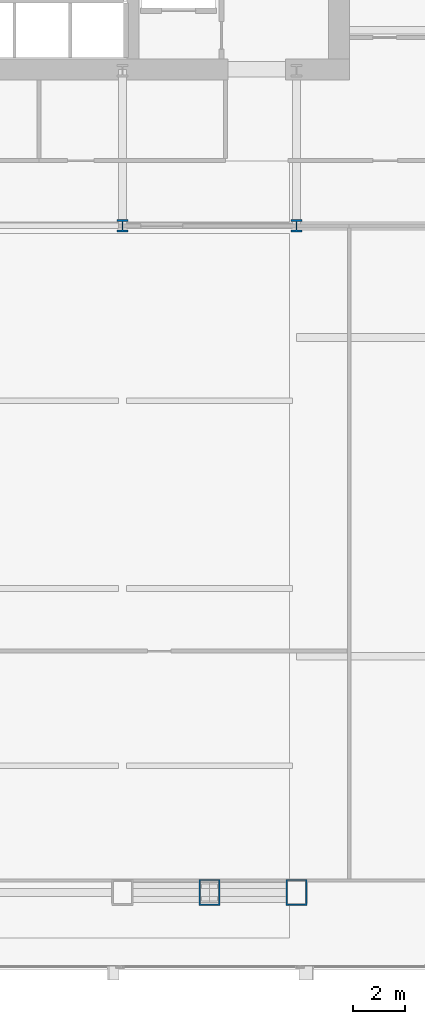
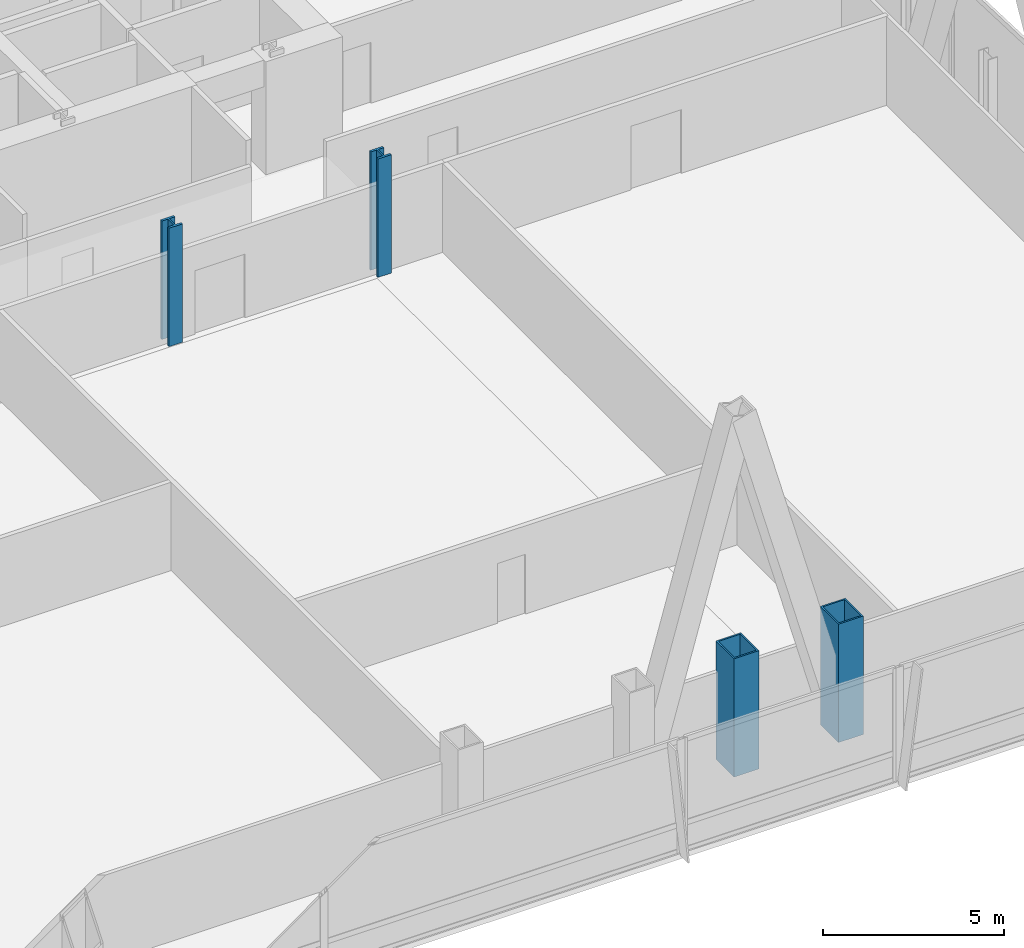
# One storey, part 2 of 35: 4 columns.
"""IFC4 building model written with IfcOpenShell, lengths in metres."""

from ifc_helpers import new_model, si_unit, direction, frame, origin, origin_2d, place, context, subcontext, project, spatial, hollow_rectangle, i_section, extrude, material, material_profile, profile_set, type_object, element, save


model = new_model("IFC4")

# Units and contexts
model_context = context("Model", 3, precision=1e-05, world=origin(), true_north=direction((0.0, 1.0)))
body_context = subcontext(model_context, "Body", "Model", "MODEL_VIEW")
ifc_project = project(units=[si_unit("LENGTHUNIT", "METRE"), si_unit("AREAUNIT", "SQUARE_METRE"), si_unit("VOLUMEUNIT", "CUBIC_METRE"), si_unit("PLANEANGLEUNIT", "RADIAN"), si_unit("MASSUNIT", "GRAM", prefix="KILO")], contexts=[model_context])

# Site, building, storey
site_placement = place(None, origin())
site = spatial("IfcSite", under=ifc_project, at=site_placement, CompositionType="ELEMENT")
building_placement = place(site_placement, origin())
building = spatial("IfcBuilding", under=site, at=building_placement, Name="Khoronbel Lancet Exchange", CompositionType="ELEMENT")
storey_placement = place(building_placement, frame((0.0, 0.0, 25.800048828125)))
storey = spatial("IfcBuildingStorey", under=building, at=storey_placement, Name="L05", CompositionType="ELEMENT", Elevation=25.800048828125)

# Columns
ifc_material = material(Name="Steel S460", Category="steel")
ifc_material_profile_1 = material_profile(ifc_material, hollow_rectangle(XDim=0.800048828125, YDim=1.0, WallThickness=0.054931640625, at=origin_2d()), Name="BOX 1000x800x55")
ifc_profile_set_1 = profile_set([ifc_material_profile_1], Name="Steel S460")
column_type_1 = type_object("IfcColumnType", Name="COL-EC1", PredefinedType="COLUMN", material=ifc_profile_set_1)
for number, where, z_axis, x_axis, name in (
    (1, (51.33740234375, 10.14990234375, 0.0), (0.0, 0.0, 1.0), (1.0, 0.0, 0.0), "Structural column SC-EM L05"),
    (2, (54.675048828125, 10.14990234375, 0.0), (0.0, 0.0, 1.0), (1.0, 0.0, 0.0), "Structural column SC-E2 L05"),
):
    element("IfcColumn", number, at=place(storey_placement, frame(where, z_axis=z_axis, x_axis=x_axis)), inside=storey, type_object=column_type_1, Name=name, PredefinedType="COLUMN", context=body_context, shape_type="SweptSolid", body=[
        extrude(hollow_rectangle(XDim=0.800048828125, YDim=1.0, WallThickness=0.054931640625, at=origin_2d()), origin(), (0.0, 0.0, 1.0), 4.0),
    ])
ifc_material_profile_2 = material_profile(ifc_material, i_section(OverallWidth=0.424072265625, OverallDepth=0.47412109375, WebThickness=0.047607421875, FlangeThickness=0.076904296875, at=origin_2d()), Name="HD 400x634")
ifc_profile_set_2 = profile_set([ifc_material_profile_2], Name="Steel S460")
column_type_2 = type_object("IfcColumnType", Name="COL-IC1", PredefinedType="COLUMN", material=ifc_profile_set_2)
for number, where, z_axis, x_axis, name in (
    (3, (48.0, 35.699951171875, 0.0), (0.0, 0.0, 1.0), (1.0, 0.0, 0.0), "Spine gravity column TC3 L05"),
    (4, (54.675048828125, 35.699951171875, 0.0), (0.0, 0.0, 1.0), (1.0, 0.0, 0.0), "Spine gravity column TC4 L05"),
):
    element("IfcColumn", number, at=place(storey_placement, frame(where, z_axis=z_axis, x_axis=x_axis)), inside=storey, type_object=column_type_2, Name=name, PredefinedType="COLUMN", context=body_context, shape_type="SweptSolid", body=[
        extrude(i_section(OverallWidth=0.424072265625, OverallDepth=0.47412109375, WebThickness=0.047607421875, FlangeThickness=0.076904296875, at=origin_2d()), origin(), (0.0, 0.0, 1.0), 4.0),
    ])

save(model, "model.ifc")
